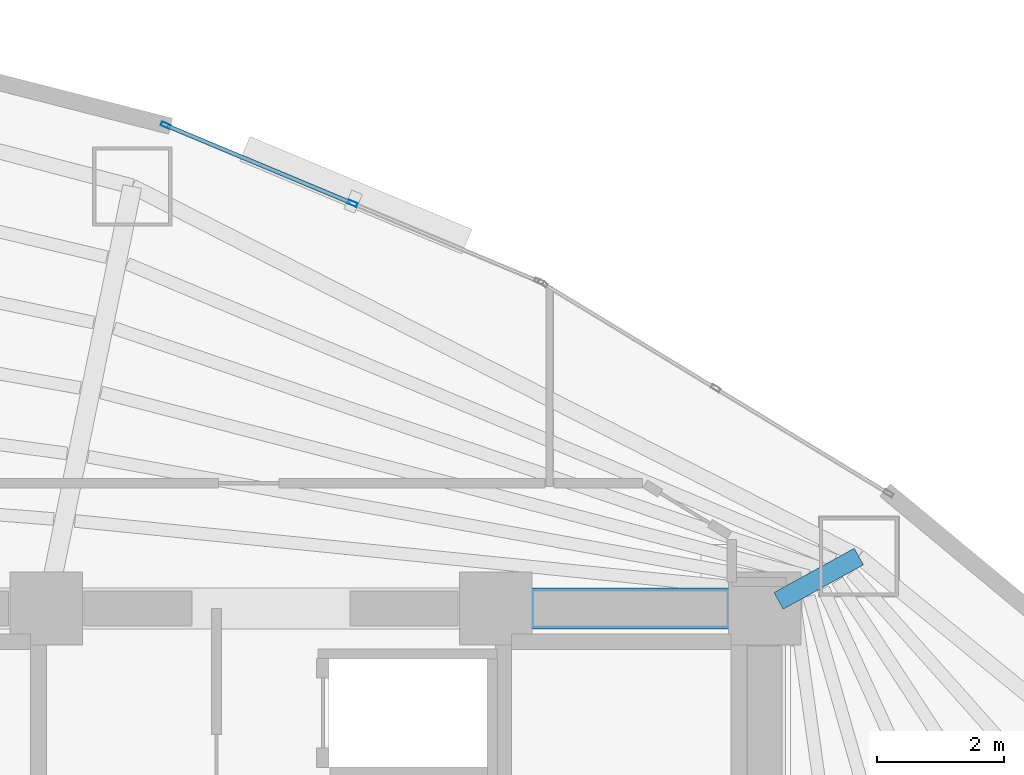
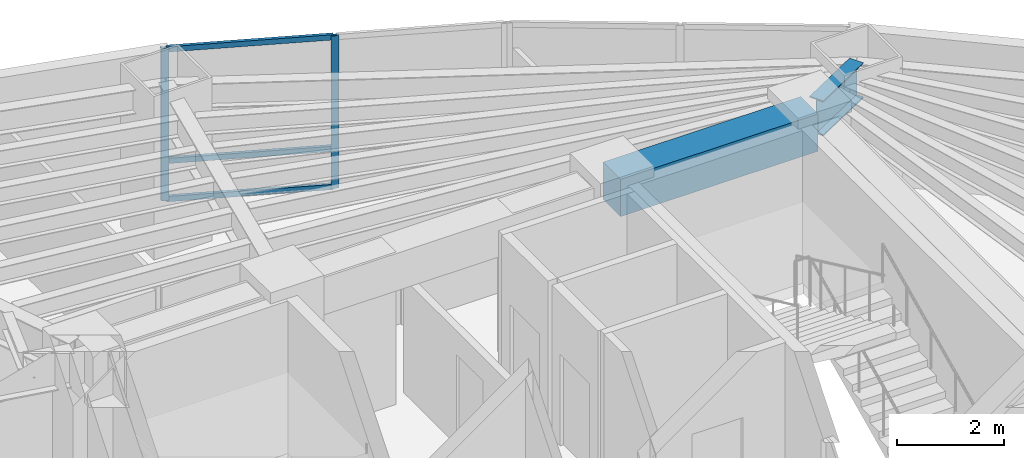
# One storey, part 9 of 18: 5 members, 2 beams, 1 element without a shape of its own.
"""IFC4 building model written with IfcOpenShell, lengths in metres."""

from ifc_helpers import new_model, si_unit, direction, frame, origin, origin_2d, place, context, subcontext, project, spatial, rectangle, hollow_rectangle, i_section, extrude, material, layer, layer_set, material_profile, profile_set, type_object, element, aggregate, save


model = new_model("IFC4")

# Units and contexts
model_context = context("Model", 3, precision=1e-05, world=origin(), true_north=direction((0.0, 1.0)))
body_context = subcontext(model_context, "Body", "Model", "MODEL_VIEW")
ifc_project = project(units=[si_unit("LENGTHUNIT", "METRE"), si_unit("AREAUNIT", "SQUARE_METRE"), si_unit("VOLUMEUNIT", "CUBIC_METRE"), si_unit("PLANEANGLEUNIT", "RADIAN"), si_unit("MASSUNIT", "GRAM", prefix="KILO")], contexts=[model_context])

# Site, building, storey
site_placement = place(None, origin())
site = spatial("IfcSite", under=ifc_project, at=site_placement, CompositionType="ELEMENT")
building_placement = place(site_placement, origin())
building = spatial("IfcBuilding", under=site, at=building_placement, Name="Menara Vayukalpa", CompositionType="ELEMENT")
storey_placement = place(building_placement, frame((0.0, 0.0, 126.300048828125)))
storey = spatial("IfcBuildingStorey", under=building, at=storey_placement, Name="L31", CompositionType="ELEMENT", Elevation=126.300048828125)

# Beams
ifc_material_1 = material(Name="Concrete C60/75", Category="concrete")
ifc_material_profile_1 = material_profile(ifc_material_1, rectangle(XDim=0.64990234375, YDim=0.85009765625, at=origin_2d()), Name="RC 650x850")
ifc_profile_set_1 = profile_set([ifc_material_profile_1], Name="Concrete C60/75")
beam_type_1 = type_object("IfcBeamType", Name="BM-CB1", PredefinedType="BEAM", material=ifc_profile_set_1)
beam_1_placement = place(storey_placement, frame((29.14990234375, 26.800048828125, 3.044921875), z_axis=(1.0, 0.0, 0.0), x_axis=(0.0, 1.0, 0.0)))
element("IfcBeam", 1, at=beam_1_placement, inside=storey, type_object=beam_type_1, Name="L31 Core Tie Beam CBR6", PredefinedType="BEAM", context=body_context, shape_type="SweptSolid", body=[
    extrude(rectangle(XDim=0.64990234375, YDim=0.85009765625, at=origin_2d()), origin(), (0.0, 0.0, 1.0), 4.25),
])
ifc_material_2 = material(Name="Steel S355", Category="steel")
ifc_material_profile_2 = material_profile(ifc_material_2, i_section(OverallWidth=0.300048828125, OverallDepth=0.800048828125, WebThickness=0.013916015625, FlangeThickness=0.02587890625, at=origin_2d()), Name="WF 800x300x14x26")
ifc_profile_set_2 = profile_set([ifc_material_profile_2], Name="Steel S355")
beam_type_2 = type_object("IfcBeamType", Name="BM-PG3", PredefinedType="BEAM", material=ifc_profile_set_2)
beam_2_placement = place(storey_placement, frame((33.618896484375, 26.9208984375, 3.070068359375), z_axis=(0.875228391676, 0.48370989488, 0.0), x_axis=(-0.48370989488, 0.875228391676, 0.0)))
element("IfcBeam", 2, at=beam_2_placement, inside=storey, type_object=beam_type_2, Name="L31 Primary Radial Girder RG02", PredefinedType="BEAM", context=body_context, shape_type="SweptSolid", body=[
    extrude(i_section(OverallWidth=0.300048828125, OverallDepth=0.800048828125, WebThickness=0.013916015625, FlangeThickness=0.02587890625, at=origin_2d()), origin(), (0.0, 0.0, 1.0), 1.448486328125),
])

# Curtain wall, members
ifc_material_3 = material(Name="Anodised Terracotta Aluminium Alloy 6063-T6", Category="masonry")
ifc_layer = layer(ifc_material_3, 0.14990234375)
ifc_layer_set = layer_set([ifc_layer], Name="Anodised Terracotta Aluminium Alloy 6063-T6")
curtain_wall_type = type_object("IfcCurtainWallType", Name="CW-CW3", PredefinedType="USERDEFINED", material=ifc_layer_set)
curtain_wall_placement = place(storey_placement, origin())
curtain_wall = element("IfcCurtainWall", 3, at=curtain_wall_placement, inside=storey, type_object=curtain_wall_type, Name="L31 Mid Rise Terracotta Ribbon Curtain Wall CW3 05", ObjectType="UNITISED", PredefinedType="USERDEFINED")
ifc_material_4 = material(Name="Anodised Terracotta Aluminium Alloy 6063-T6", Category="masonry")
ifc_material_profile_3 = material_profile(ifc_material_4, hollow_rectangle(XDim=0.06494140625, YDim=0.14990234375, WallThickness=0.00341796875, at=origin_2d()), Name="ALU 65x150x3.5")
ifc_profile_set_3 = profile_set([ifc_material_profile_3], Name="Anodised Terracotta Aluminium Alloy 6063-T6")
member_type_1 = type_object("IfcMemberType", Name="CWM-CW3", PredefinedType="MULLION", material=ifc_profile_set_3)
member_1_placement = place(storey_placement, frame((26.88671875, 33.201416015625, 0.0), z_axis=(0.0, 0.0, 1.0), x_axis=(-0.38589358437, -0.922543300632, 0.0)))
member_1 = element("IfcMember", 4, at=member_1_placement, type_object=member_type_1, Name="CW3 mullion 2", PredefinedType="MULLION", context=body_context, shape_type="SweptSolid", body=[
    extrude(hollow_rectangle(XDim=0.06494140625, YDim=0.14990234375, WallThickness=0.00341796875, at=origin_2d()), origin(), (0.0, 0.0, 1.0), 3.469970703125),
])
member_2_placement = place(storey_placement, frame((23.9375, 34.43505859375, 0.0), z_axis=(0.0, 0.0, 1.0), x_axis=(-0.38589358437, -0.922543300632, 0.0)))
member_2 = element("IfcMember", 5, at=member_2_placement, type_object=member_type_1, Name="CW3 mullion 3", PredefinedType="MULLION", context=body_context, shape_type="SweptSolid", body=[
    extrude(hollow_rectangle(XDim=0.06494140625, YDim=0.14990234375, WallThickness=0.00341796875, at=origin_2d()), origin(), (0.0, 0.0, 1.0), 3.469970703125),
])
ifc_material_5 = material(Name="Anodised Terracotta Aluminium Alloy 6063-T6", Category="masonry")
ifc_material_profile_4 = material_profile(ifc_material_5, hollow_rectangle(XDim=0.06494140625, YDim=0.1201171875, WallThickness=0.00341796875, at=origin_2d()), Name="ALU 65x120x3.5")
ifc_profile_set_4 = profile_set([ifc_material_profile_4], Name="Anodised Terracotta Aluminium Alloy 6063-T6")
member_type_2 = type_object("IfcMemberType", Name="CWT-CW3", PredefinedType="USERDEFINED", material=ifc_profile_set_4)
member_3_placement = place(storey_placement, frame((26.856689453125, 33.2138671875, 0.032470703125), z_axis=(-0.922529423765, 0.385926757673, 0.0), x_axis=(-0.385926757673, -0.922529423765, 0.0)))
member_3 = element("IfcMember", 6, at=member_3_placement, type_object=member_type_2, Name="CW3 transom 2.1", ObjectType="TRANSOM", PredefinedType="USERDEFINED", context=body_context, shape_type="SweptSolid", body=[
    extrude(hollow_rectangle(XDim=0.06494140625, YDim=0.1201171875, WallThickness=0.00341796875, at=origin_2d()), origin(), (0.0, 0.0, 1.0), 3.132080078125),
])
member_4_placement = place(storey_placement, frame((26.856689453125, 33.2138671875, 0.89990234375), z_axis=(-0.922529423765, 0.385926757673, 0.0), x_axis=(-0.385926757673, -0.922529423765, 0.0)))
member_4 = element("IfcMember", 7, at=member_4_placement, type_object=member_type_2, Name="CW3 transom 2.2", ObjectType="TRANSOM", PredefinedType="USERDEFINED", context=body_context, shape_type="SweptSolid", body=[
    extrude(hollow_rectangle(XDim=0.06494140625, YDim=0.1201171875, WallThickness=0.00341796875, at=origin_2d()), origin(), (0.0, 0.0, 1.0), 3.132080078125),
])
member_5_placement = place(storey_placement, frame((26.856689453125, 33.2138671875, 3.4375), z_axis=(-0.922529423765, 0.385926757673, 0.0), x_axis=(-0.385926757673, -0.922529423765, 0.0)))
member_5 = element("IfcMember", 8, at=member_5_placement, type_object=member_type_2, Name="CW3 transom 2.3", ObjectType="TRANSOM", PredefinedType="USERDEFINED", context=body_context, shape_type="SweptSolid", body=[
    extrude(hollow_rectangle(XDim=0.06494140625, YDim=0.1201171875, WallThickness=0.00341796875, at=origin_2d()), origin(), (0.0, 0.0, 1.0), 3.132080078125),
])
aggregate(curtain_wall, [member_1, member_2, member_3, member_4, member_5])

save(model, "model.ifc")
